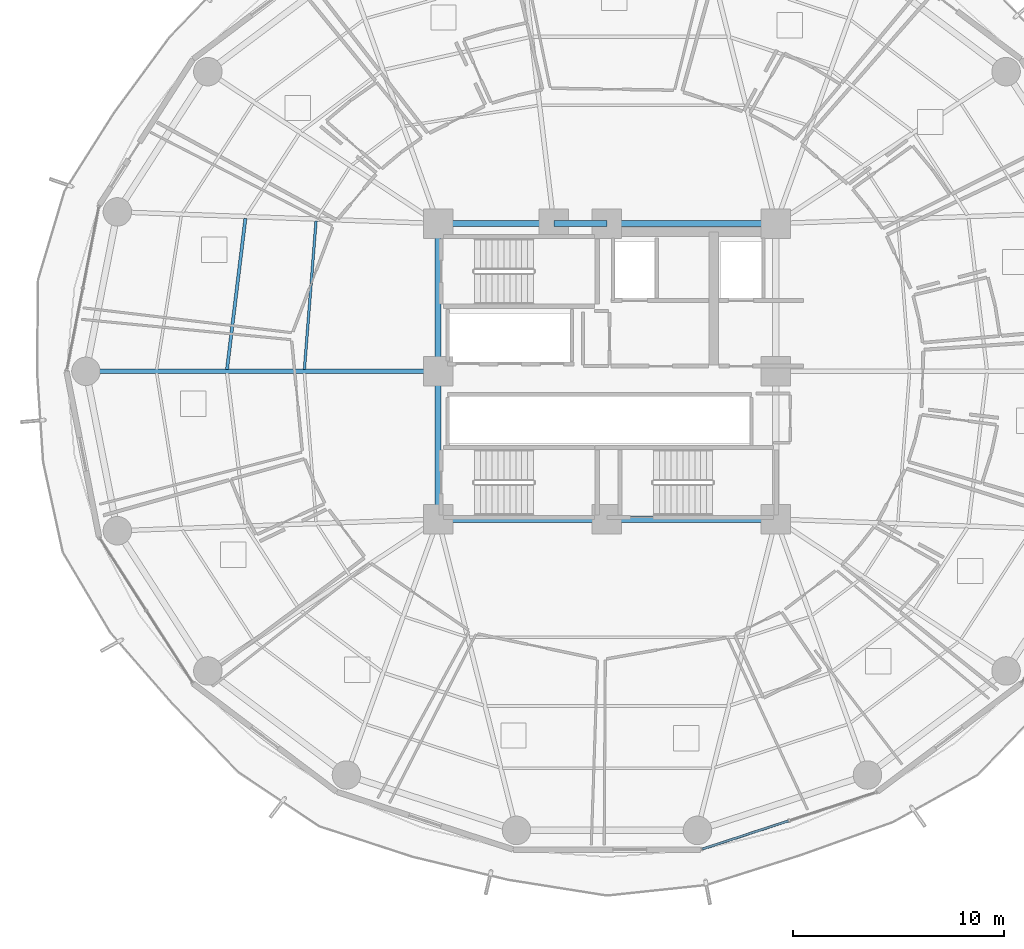
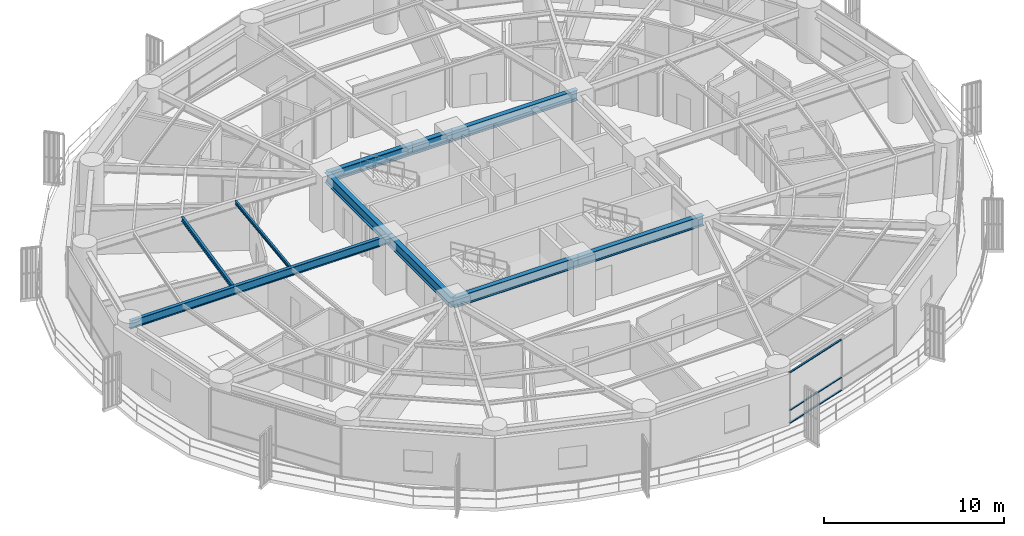
# One storey, part 9 of 36: 10 beams, 3 members, 1 element without a shape of its own.
"""IFC4 building model written with IfcOpenShell, lengths in metres."""

from ifc_helpers import new_model, si_unit, direction, frame, origin, origin_2d, place, context, subcontext, project, spatial, hollow_rectangle, i_section, extrude, material, layer, layer_set, material_profile, profile_set, type_object, element, aggregate, save


model = new_model("IFC4")

# Units and contexts
model_context = context("Model", 3, precision=1e-05, world=origin(), true_north=direction((0.0, 1.0)))
body_context = subcontext(model_context, "Body", "Model", "MODEL_VIEW")
ifc_project = project(units=[si_unit("LENGTHUNIT", "METRE"), si_unit("AREAUNIT", "SQUARE_METRE"), si_unit("VOLUMEUNIT", "CUBIC_METRE"), si_unit("PLANEANGLEUNIT", "RADIAN"), si_unit("MASSUNIT", "GRAM", prefix="KILO")], contexts=[model_context])

# Site, building, storey
site_placement = place(None, origin())
site = spatial("IfcSite", under=ifc_project, at=site_placement, CompositionType="ELEMENT")
building_placement = place(site_placement, origin())
building = spatial("IfcBuilding", under=site, at=building_placement, Name="Kelanora Arch Commons", CompositionType="ELEMENT")
storey_placement = place(building_placement, frame((0.0, 0.0, 98.85009765625)))
storey = spatial("IfcBuildingStorey", under=building, at=storey_placement, Name="L25", CompositionType="ELEMENT", Elevation=98.85009765625)

# Beams
ifc_material_1 = material(Name="Steel S355", Category="steel")
ifc_material_profile_1 = material_profile(ifc_material_1, i_section(OverallWidth=0.300048828125, OverallDepth=0.699951171875, WebThickness=0.01708984375, FlangeThickness=0.031982421875, FilletRadius=0.027099609375, at=origin_2d()), Name="HEB700")
ifc_profile_set_1 = profile_set([ifc_material_profile_1], Name="Steel S355")
beam_type_1 = type_object("IfcBeamType", Name="BM-CORE-HDR", PredefinedType="BEAM", material=ifc_profile_set_1)
for number, where, z_axis, x_axis, name in (
    (1, (66.0, 51.0, 3.139892578125), (1.0, 0.0, 0.0), (0.0, 1.0, 0.0), "Core Header Beam 01 L25"),
    (2, (74.0, 51.0, 3.139892578125), (1.0, 0.0, 0.0), (0.0, 1.0, 0.0), "Core Header Beam 02 L25"),
    (3, (82.0, 65.0, 3.139892578125), (-1.0, 0.0, 0.0), (0.0, -1.0, 0.0), "Core Header Beam 05 L25"),
):
    element("IfcBeam", number, at=place(storey_placement, frame(where, z_axis=z_axis, x_axis=x_axis)), inside=storey, type_object=beam_type_1, Name=name, PredefinedType="BEAM", context=body_context, shape_type="SweptSolid", body=[
        extrude(i_section(OverallWidth=0.300048828125, OverallDepth=0.699951171875, WebThickness=0.01708984375, FlangeThickness=0.031982421875, FilletRadius=0.027099609375, at=origin_2d()), origin(), (0.0, 0.0, 1.0), 8.0),
    ])
beam_1_placement = place(storey_placement, frame((74.0, 65.0, 3.139892578125), z_axis=(-1.0, 0.0, 0.0), x_axis=(0.0, -1.0, 0.0)))
element("IfcBeam", 4, at=beam_1_placement, inside=storey, type_object=beam_type_1, Name="Core Header Beam 06 L25", PredefinedType="BEAM", context=body_context, shape_type="SweptSolid", body=[
    extrude(i_section(OverallWidth=0.300048828125, OverallDepth=0.699951171875, WebThickness=0.01708984375, FlangeThickness=0.031982421875, FilletRadius=0.027099609375, at=origin_2d()), origin(), (0.0, 0.0, 1.0), 2.52001953125),
])
beam_2_placement = place(storey_placement, frame((71.47998046875, 65.0, 3.139892578125), z_axis=(-1.0, 0.0, 0.0), x_axis=(0.0, -1.0, 0.0)))
element("IfcBeam", 5, at=beam_2_placement, inside=storey, type_object=beam_type_1, Name="Core Header Beam 07 L25", PredefinedType="BEAM", context=body_context, shape_type="SweptSolid", body=[
    extrude(i_section(OverallWidth=0.300048828125, OverallDepth=0.699951171875, WebThickness=0.01708984375, FlangeThickness=0.031982421875, FilletRadius=0.027099609375, at=origin_2d()), origin(), (0.0, 0.0, 1.0), 5.47998046875),
])
for number, where, z_axis, x_axis, name in (
    (6, (66.0, 65.0, 3.139892578125), (0.0, -1.0, 0.0), (1.0, 0.0, 0.0), "Core Header Beam 08 L25"),
    (7, (66.0, 58.0, 3.139892578125), (0.0, -1.0, 0.0), (1.0, 0.0, 0.0), "Core Header Beam 09 L25"),
):
    element("IfcBeam", number, at=place(storey_placement, frame(where, z_axis=z_axis, x_axis=x_axis)), inside=storey, type_object=beam_type_1, Name=name, PredefinedType="BEAM", context=body_context, shape_type="SweptSolid", body=[
        extrude(i_section(OverallWidth=0.300048828125, OverallDepth=0.699951171875, WebThickness=0.01708984375, FlangeThickness=0.031982421875, FilletRadius=0.027099609375, at=origin_2d()), origin(), (0.0, 0.0, 1.0), 7.0),
    ])
ifc_material_profile_2 = material_profile(ifc_material_1, i_section(OverallWidth=0.14990234375, OverallDepth=0.300048828125, WebThickness=0.007080078125, FlangeThickness=0.0107421875, FilletRadius=0.014892578125, at=origin_2d()), Name="IPE300")
ifc_profile_set_2 = profile_set([ifc_material_profile_2], Name="Steel S355")
beam_type_2 = type_object("IfcBeamType", Name="BM-JST-01", PredefinedType="JOIST", material=ifc_profile_set_2)
beam_3_placement = place(storey_placement, frame((56.874755859375, 65.24658203125, 3.33984375), z_axis=(-0.120935645266, -0.992660349618, 0.0), x_axis=(0.992660349618, -0.120935645266, 0.0)))
element("IfcBeam", 8, at=beam_3_placement, inside=storey, type_object=beam_type_2, Name="Secondary Chord Joist BJB-16 L25", PredefinedType="JOIST", context=body_context, shape_type="SweptSolid", body=[
    extrude(i_section(OverallWidth=0.14990234375, OverallDepth=0.300048828125, WebThickness=0.007080078125, FlangeThickness=0.0107421875, FilletRadius=0.014892578125, at=origin_2d()), origin(), (0.0, 0.0, 1.0), 7.215087890625),
])
ifc_material_profile_3 = material_profile(ifc_material_1, i_section(OverallWidth=0.1201171875, OverallDepth=0.239990234375, WebThickness=0.006103515625, FlangeThickness=0.009765625, FilletRadius=0.014892578125, at=origin_2d()), Name="IPE240")
ifc_profile_set_3 = profile_set([ifc_material_profile_3], Name="Steel S355")
beam_type_3 = type_object("IfcBeamType", Name="BM-JST-02", PredefinedType="JOIST", material=ifc_profile_set_3)
beam_4_placement = place(storey_placement, frame((60.220458984375, 65.125, 3.369873046875), z_axis=(-0.078200677502, -0.996937637989, 0.0), x_axis=(0.996937637989, -0.078200677502, 0.0)))
element("IfcBeam", 9, at=beam_4_placement, inside=storey, type_object=beam_type_3, Name="Secondary Chord Joist BJA-16 L25", PredefinedType="JOIST", context=body_context, shape_type="SweptSolid", body=[
    extrude(i_section(OverallWidth=0.1201171875, OverallDepth=0.239990234375, WebThickness=0.006103515625, FlangeThickness=0.009765625, FilletRadius=0.014892578125, at=origin_2d()), origin(), (0.0, 0.0, 1.0), 7.06201171875),
])
ifc_material_profile_4 = material_profile(ifc_material_1, i_section(OverallWidth=0.2099609375, OverallDepth=0.550048828125, WebThickness=0.010986328125, FlangeThickness=0.01708984375, FilletRadius=0.02392578125, at=origin_2d()), Name="IPE550")
ifc_profile_set_4 = profile_set([ifc_material_profile_4], Name="Steel S355")
beam_type_4 = type_object("IfcBeamType", Name="BM-RAD-Z2", PredefinedType="BEAM", material=ifc_profile_set_4)
beam_5_placement = place(storey_placement, frame((66.0, 58.0, 3.21484375), z_axis=(-1.0, 0.0, 0.0), x_axis=(0.0, -1.0, 0.0)))
element("IfcBeam", 10, at=beam_5_placement, inside=storey, type_object=beam_type_4, Name="Radial Floor Girder BR-18 L25", PredefinedType="BEAM", context=body_context, shape_type="SweptSolid", body=[
    extrude(i_section(OverallWidth=0.2099609375, OverallDepth=0.550048828125, WebThickness=0.010986328125, FlangeThickness=0.01708984375, FilletRadius=0.02392578125, at=origin_2d()), origin(), (0.0, 0.0, 1.0), 16.679931640625),
])

# Curtain wall, members
ifc_material_2 = material(Name="Terracotta ceramic-fritted low-E glass and aluminium", Category="masonry")
ifc_layer = layer(ifc_material_2, 0.159912109375)
ifc_layer_set = layer_set([ifc_layer], Name="Terracotta ceramic-fritted low-E glass and aluminium")
curtain_wall_type = type_object("IfcCurtainWallType", Name="CW-SYS-01", PredefinedType="NOTDEFINED", material=ifc_layer_set)
curtain_wall_placement = place(storey_placement, origin())
curtain_wall = element("IfcCurtainWall", 11, at=curtain_wall_placement, inside=storey, type_object=curtain_wall_type, Name="Unitised Curtain Wall L25-B14", PredefinedType="NOTDEFINED")
ifc_material_3 = material(Name="Powder-coated aluminium terracotta", Category="masonry")
ifc_material_profile_5 = material_profile(ifc_material_3, hollow_rectangle(XDim=0.1201171875, YDim=0.06005859375, WallThickness=0.0048828125, InnerFilletRadius=0.0048828125, OuterFilletRadius=0.010009765625, at=origin_2d()), Name="CWT120x60")
ifc_profile_set_5 = profile_set([ifc_material_profile_5], Name="Powder-coated aluminium terracotta")
member_type = type_object("IfcMemberType", Name="CWT-STD", PredefinedType="USERDEFINED", material=ifc_profile_set_5)
member_1_placement = place(storey_placement, frame((78.516845703125, 35.372802734375, 0.02978515625), z_axis=(0.950477544745, 0.31079323824, 0.0), x_axis=(-0.31079323824, 0.950477544745, 0.0)))
member_1 = element("IfcMember", 12, at=member_1_placement, type_object=member_type, Name="CW-01 transom 1.1", ObjectType="TRANSOM", PredefinedType="USERDEFINED", context=body_context, shape_type="SweptSolid", body=[
    extrude(hollow_rectangle(XDim=0.1201171875, YDim=0.06005859375, WallThickness=0.0048828125, InnerFilletRadius=0.0048828125, OuterFilletRadius=0.010009765625, at=origin_2d()), origin(), (0.0, 0.0, 1.0), 4.289794921875),
])
member_2_placement = place(storey_placement, frame((78.516845703125, 35.372802734375, 0.89990234375), z_axis=(0.950477544745, 0.31079323824, 0.0), x_axis=(-0.31079323824, 0.950477544745, 0.0)))
member_2 = element("IfcMember", 13, at=member_2_placement, type_object=member_type, Name="CW-01 transom 1.2", ObjectType="TRANSOM", PredefinedType="USERDEFINED", context=body_context, shape_type="SweptSolid", body=[
    extrude(hollow_rectangle(XDim=0.1201171875, YDim=0.06005859375, WallThickness=0.0048828125, InnerFilletRadius=0.0048828125, OuterFilletRadius=0.010009765625, at=origin_2d()), origin(), (0.0, 0.0, 1.0), 4.289794921875),
])
member_3_placement = place(storey_placement, frame((78.516845703125, 35.372802734375, 3.44482421875), z_axis=(0.950477544745, 0.31079323824, 0.0), x_axis=(-0.31079323824, 0.950477544745, 0.0)))
member_3 = element("IfcMember", 14, at=member_3_placement, type_object=member_type, Name="CW-01 transom 1.3", ObjectType="TRANSOM", PredefinedType="USERDEFINED", context=body_context, shape_type="SweptSolid", body=[
    extrude(hollow_rectangle(XDim=0.1201171875, YDim=0.06005859375, WallThickness=0.0048828125, InnerFilletRadius=0.0048828125, OuterFilletRadius=0.010009765625, at=origin_2d()), origin(), (0.0, 0.0, 1.0), 4.289794921875),
])
aggregate(curtain_wall, [member_1, member_2, member_3])

save(model, "model.ifc")
